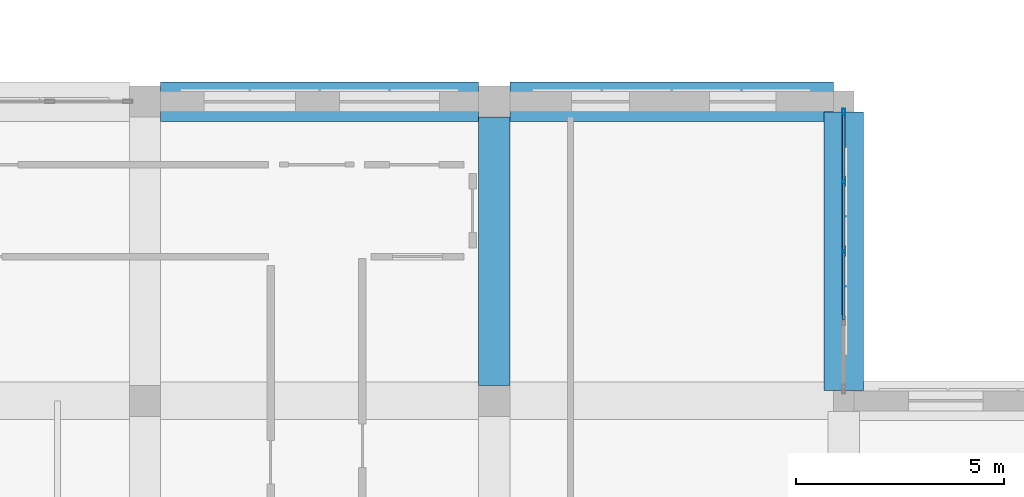
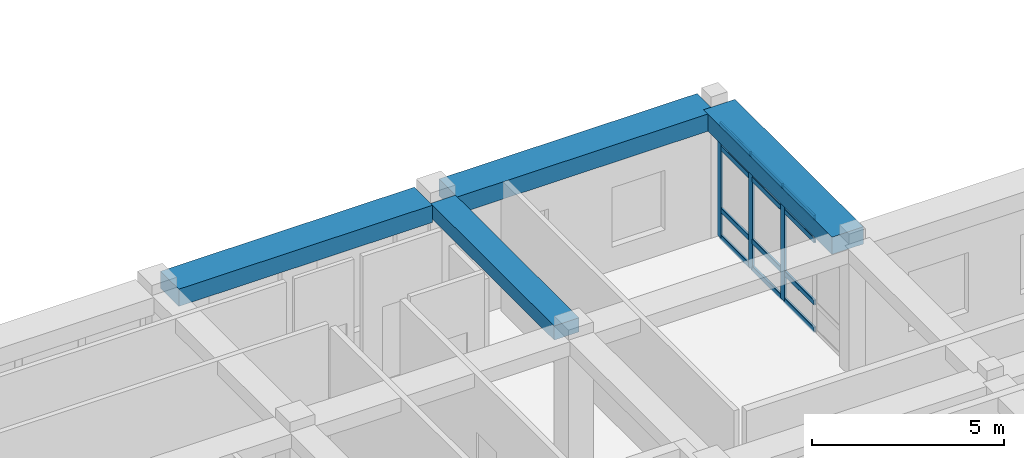
# One storey, part 47 of 111: 15 members, 4 beams, 1 element without a shape of its own.
"""IFC4 building model written with IfcOpenShell, lengths in metres."""

from ifc_helpers import new_model, si_unit, derived_unit, direction, frame, origin, origin_2d, place, context, subcontext, project, spatial, rectangle, hollow_rectangle, extrude, material, material_profile, profile_set, type_object, element, aggregate, save


model = new_model("IFC4")

# Units and contexts
model_context = context("Model", 3, precision=1e-05, world=origin(), true_north=direction((0.0, 1.0)))
body_context = subcontext(model_context, "Body", "Model", "MODEL_VIEW")
ifc_project = project(units=[si_unit("LENGTHUNIT", "METRE"), si_unit("AREAUNIT", "SQUARE_METRE"), si_unit("VOLUMEUNIT", "CUBIC_METRE"), si_unit("PLANEANGLEUNIT", "RADIAN"), si_unit("MASSUNIT", "GRAM", prefix="KILO"), derived_unit("THERMALTRANSMITTANCEUNIT", [(si_unit("POWERUNIT", "WATT"), 1), (si_unit("LENGTHUNIT", "METRE"), -2), (si_unit("THERMODYNAMICTEMPERATUREUNIT", "KELVIN"), -1)])], contexts=[model_context])

# Site, building, storey
site_placement = place(None, origin())
site = spatial("IfcSite", under=ifc_project, at=site_placement, CompositionType="ELEMENT")
building_placement = place(site_placement, origin())
building = spatial("IfcBuilding", under=site, at=building_placement, Name="Veybourne Emporium", CompositionType="ELEMENT")
storey_placement = place(building_placement, frame((0.0, 0.0, 9.89990234375)))
storey = spatial("IfcBuildingStorey", under=building, at=storey_placement, Name="L02", CompositionType="ELEMENT", Elevation=9.89990234375)

# Curtain wall, members
ifc_material_1 = material(Name="Patinated Architectural Bronze", Category="bronze")
curtain_wall_type = type_object("IfcCurtainWallType", Name="CWSystem_CWS-28", PredefinedType="NOTDEFINED", material=ifc_material_1)
curtain_wall_placement = place(storey_placement, origin())
curtain_wall = element("IfcCurtainWall", 1, at=curtain_wall_placement, inside=storey, type_object=curtain_wall_type, Name="L02 bronze glazed curtain wall CWS-28 (070)", PredefinedType="NOTDEFINED")
ifc_material_profile_1 = material_profile(ifc_material_1, hollow_rectangle(XDim=0.070068359375, YDim=0.219970703125, WallThickness=0.0048828125, InnerFilletRadius=0.007568359375, OuterFilletRadius=0.012451171875, at=origin_2d()), Name="CWM 70x220x5")
ifc_profile_set_1 = profile_set([ifc_material_profile_1], Name="Patinated Architectural Bronze")
member_type_1 = type_object("IfcMemberType", Name="CWMullion_CW-M4", PredefinedType="MULLION", material=ifc_profile_set_1)
member_1_placement = place(storey_placement, frame((142.800048828125, 28.514892578125, 0.0), z_axis=(0.0, 0.0, 1.0), x_axis=(1.0, 0.0, 0.0)))
member_1 = element("IfcMember", 2, at=member_1_placement, type_object=member_type_1, Name="CWS-28 mullion 1", PredefinedType="MULLION", context=body_context, shape_type="SweptSolid", body=[
    extrude(hollow_rectangle(XDim=0.070068359375, YDim=0.219970703125, WallThickness=0.0048828125, InnerFilletRadius=0.007568359375, OuterFilletRadius=0.012451171875, at=origin_2d()), origin(), (0.0, 0.0, 1.0), 3.630126953125),
])
member_2_placement = place(storey_placement, frame((142.800048828125, 26.875, 0.0), z_axis=(0.0, 0.0, 1.0), x_axis=(1.0, 0.0, 0.0)))
member_2 = element("IfcMember", 3, at=member_2_placement, type_object=member_type_1, Name="CWS-28 mullion 2", PredefinedType="MULLION", context=body_context, shape_type="SweptSolid", body=[
    extrude(hollow_rectangle(XDim=0.070068359375, YDim=0.219970703125, WallThickness=0.0048828125, InnerFilletRadius=0.007568359375, OuterFilletRadius=0.012451171875, at=origin_2d()), origin(), (0.0, 0.0, 1.0), 3.630126953125),
])
member_3_placement = place(storey_placement, frame((142.800048828125, 25.199951171875, 0.0), z_axis=(0.0, 0.0, 1.0), x_axis=(1.0, 0.0, 0.0)))
member_3 = element("IfcMember", 4, at=member_3_placement, type_object=member_type_1, Name="CWS-28 mullion 3", PredefinedType="MULLION", context=body_context, shape_type="SweptSolid", body=[
    extrude(hollow_rectangle(XDim=0.070068359375, YDim=0.219970703125, WallThickness=0.0048828125, InnerFilletRadius=0.007568359375, OuterFilletRadius=0.012451171875, at=origin_2d()), origin(), (0.0, 0.0, 1.0), 3.630126953125),
])
ifc_material_profile_2 = material_profile(ifc_material_1, hollow_rectangle(XDim=0.070068359375, YDim=0.169921875, WallThickness=0.0048828125, InnerFilletRadius=0.007568359375, OuterFilletRadius=0.012451171875, at=origin_2d()), Name="CWT 70x170x5")
ifc_profile_set_2 = profile_set([ifc_material_profile_2], Name="Patinated Architectural Bronze")
member_type_2 = type_object("IfcMemberType", Name="CWTransom_CW-T4", PredefinedType="NOTDEFINED", material=ifc_profile_set_2)
member_4_placement = place(storey_placement, frame((142.800048828125, 28.47998046875, 0.03515625), z_axis=(0.0, -1.0, 0.0), x_axis=(1.0, 0.0, 0.0)))
member_4 = element("IfcMember", 5, at=member_4_placement, type_object=member_type_2, Name="CWS-28 transom 1.1", ObjectType="TRANSOM", PredefinedType="USERDEFINED", context=body_context, shape_type="SweptSolid", body=[
    extrude(hollow_rectangle(XDim=0.070068359375, YDim=0.169921875, WallThickness=0.0048828125, InnerFilletRadius=0.007568359375, OuterFilletRadius=0.012451171875, at=origin_2d()), origin(), (0.0, 0.0, 1.0), 1.570068359375),
])
member_5_placement = place(storey_placement, frame((142.800048828125, 28.47998046875, 0.900146484375), z_axis=(0.0, -1.0, 0.0), x_axis=(1.0, 0.0, 0.0)))
member_5 = element("IfcMember", 6, at=member_5_placement, type_object=member_type_2, Name="CWS-28 transom 1.2", ObjectType="TRANSOM", PredefinedType="USERDEFINED", context=body_context, shape_type="SweptSolid", body=[
    extrude(hollow_rectangle(XDim=0.070068359375, YDim=0.169921875, WallThickness=0.0048828125, InnerFilletRadius=0.007568359375, OuterFilletRadius=0.012451171875, at=origin_2d()), origin(), (0.0, 0.0, 1.0), 1.570068359375),
])
member_6_placement = place(storey_placement, frame((142.800048828125, 28.47998046875, 2.880126953125), z_axis=(0.0, -1.0, 0.0), x_axis=(1.0, 0.0, 0.0)))
member_6 = element("IfcMember", 7, at=member_6_placement, type_object=member_type_2, Name="CWS-28 transom 1.3", ObjectType="TRANSOM", PredefinedType="USERDEFINED", context=body_context, shape_type="SweptSolid", body=[
    extrude(hollow_rectangle(XDim=0.070068359375, YDim=0.169921875, WallThickness=0.0048828125, InnerFilletRadius=0.007568359375, OuterFilletRadius=0.012451171875, at=origin_2d()), origin(), (0.0, 0.0, 1.0), 1.570068359375),
])
member_7_placement = place(storey_placement, frame((142.800048828125, 28.47998046875, 3.59521484375), z_axis=(0.0, -1.0, 0.0), x_axis=(1.0, 0.0, 0.0)))
member_7 = element("IfcMember", 8, at=member_7_placement, type_object=member_type_2, Name="CWS-28 transom 1.4", ObjectType="TRANSOM", PredefinedType="USERDEFINED", context=body_context, shape_type="SweptSolid", body=[
    extrude(hollow_rectangle(XDim=0.070068359375, YDim=0.169921875, WallThickness=0.0048828125, InnerFilletRadius=0.007568359375, OuterFilletRadius=0.012451171875, at=origin_2d()), origin(), (0.0, 0.0, 1.0), 1.570068359375),
])
member_8_placement = place(storey_placement, frame((142.800048828125, 26.840087890625, 0.03515625), z_axis=(0.0, -1.0, 0.0), x_axis=(1.0, 0.0, 0.0)))
member_8 = element("IfcMember", 9, at=member_8_placement, type_object=member_type_2, Name="CWS-28 transom 2.1", ObjectType="TRANSOM", PredefinedType="USERDEFINED", context=body_context, shape_type="SweptSolid", body=[
    extrude(hollow_rectangle(XDim=0.070068359375, YDim=0.169921875, WallThickness=0.0048828125, InnerFilletRadius=0.007568359375, OuterFilletRadius=0.012451171875, at=origin_2d()), origin(), (0.0, 0.0, 1.0), 1.60498046875),
])
member_9_placement = place(storey_placement, frame((142.800048828125, 26.840087890625, 0.900146484375), z_axis=(0.0, -1.0, 0.0), x_axis=(1.0, 0.0, 0.0)))
member_9 = element("IfcMember", 10, at=member_9_placement, type_object=member_type_2, Name="CWS-28 transom 2.2", ObjectType="TRANSOM", PredefinedType="USERDEFINED", context=body_context, shape_type="SweptSolid", body=[
    extrude(hollow_rectangle(XDim=0.070068359375, YDim=0.169921875, WallThickness=0.0048828125, InnerFilletRadius=0.007568359375, OuterFilletRadius=0.012451171875, at=origin_2d()), origin(), (0.0, 0.0, 1.0), 1.60498046875),
])
member_10_placement = place(storey_placement, frame((142.800048828125, 26.840087890625, 2.880126953125), z_axis=(0.0, -1.0, 0.0), x_axis=(1.0, 0.0, 0.0)))
member_10 = element("IfcMember", 11, at=member_10_placement, type_object=member_type_2, Name="CWS-28 transom 2.3", ObjectType="TRANSOM", PredefinedType="USERDEFINED", context=body_context, shape_type="SweptSolid", body=[
    extrude(hollow_rectangle(XDim=0.070068359375, YDim=0.169921875, WallThickness=0.0048828125, InnerFilletRadius=0.007568359375, OuterFilletRadius=0.012451171875, at=origin_2d()), origin(), (0.0, 0.0, 1.0), 1.60498046875),
])
member_11_placement = place(storey_placement, frame((142.800048828125, 26.840087890625, 3.59521484375), z_axis=(0.0, -1.0, 0.0), x_axis=(1.0, 0.0, 0.0)))
member_11 = element("IfcMember", 12, at=member_11_placement, type_object=member_type_2, Name="CWS-28 transom 2.4", ObjectType="TRANSOM", PredefinedType="USERDEFINED", context=body_context, shape_type="SweptSolid", body=[
    extrude(hollow_rectangle(XDim=0.070068359375, YDim=0.169921875, WallThickness=0.0048828125, InnerFilletRadius=0.007568359375, OuterFilletRadius=0.012451171875, at=origin_2d()), origin(), (0.0, 0.0, 1.0), 1.60498046875),
])
member_12_placement = place(storey_placement, frame((142.800048828125, 25.1650390625, 0.03515625), z_axis=(0.0, -1.0, 0.0), x_axis=(1.0, 0.0, 0.0)))
member_12 = element("IfcMember", 13, at=member_12_placement, type_object=member_type_2, Name="CWS-28 transom 3.1", ObjectType="TRANSOM", PredefinedType="USERDEFINED", context=body_context, shape_type="SweptSolid", body=[
    extrude(hollow_rectangle(XDim=0.070068359375, YDim=0.169921875, WallThickness=0.0048828125, InnerFilletRadius=0.007568359375, OuterFilletRadius=0.012451171875, at=origin_2d()), origin(), (0.0, 0.0, 1.0), 1.60498046875),
])
member_13_placement = place(storey_placement, frame((142.800048828125, 25.1650390625, 0.900146484375), z_axis=(0.0, -1.0, 0.0), x_axis=(1.0, 0.0, 0.0)))
member_13 = element("IfcMember", 14, at=member_13_placement, type_object=member_type_2, Name="CWS-28 transom 3.2", ObjectType="TRANSOM", PredefinedType="USERDEFINED", context=body_context, shape_type="SweptSolid", body=[
    extrude(hollow_rectangle(XDim=0.070068359375, YDim=0.169921875, WallThickness=0.0048828125, InnerFilletRadius=0.007568359375, OuterFilletRadius=0.012451171875, at=origin_2d()), origin(), (0.0, 0.0, 1.0), 1.60498046875),
])
member_14_placement = place(storey_placement, frame((142.800048828125, 25.1650390625, 2.880126953125), z_axis=(0.0, -1.0, 0.0), x_axis=(1.0, 0.0, 0.0)))
member_14 = element("IfcMember", 15, at=member_14_placement, type_object=member_type_2, Name="CWS-28 transom 3.3", ObjectType="TRANSOM", PredefinedType="USERDEFINED", context=body_context, shape_type="SweptSolid", body=[
    extrude(hollow_rectangle(XDim=0.070068359375, YDim=0.169921875, WallThickness=0.0048828125, InnerFilletRadius=0.007568359375, OuterFilletRadius=0.012451171875, at=origin_2d()), origin(), (0.0, 0.0, 1.0), 1.60498046875),
])
member_15_placement = place(storey_placement, frame((142.800048828125, 25.1650390625, 3.59521484375), z_axis=(0.0, -1.0, 0.0), x_axis=(1.0, 0.0, 0.0)))
member_15 = element("IfcMember", 16, at=member_15_placement, type_object=member_type_2, Name="CWS-28 transom 3.4", ObjectType="TRANSOM", PredefinedType="USERDEFINED", context=body_context, shape_type="SweptSolid", body=[
    extrude(hollow_rectangle(XDim=0.070068359375, YDim=0.169921875, WallThickness=0.0048828125, InnerFilletRadius=0.007568359375, OuterFilletRadius=0.012451171875, at=origin_2d()), origin(), (0.0, 0.0, 1.0), 1.60498046875),
])
aggregate(curtain_wall, [member_1, member_2, member_3, member_4, member_5, member_6, member_7, member_8, member_9, member_10, member_11, member_12, member_13, member_14, member_15])

# Beams
ifc_material_2 = material(Name="Concrete C32/40", Category="concrete")
ifc_material_profile_3 = material_profile(ifc_material_2, rectangle(XDim=0.75, YDim=0.449951171875, at=origin_2d()), Name="RC 750x450")
ifc_profile_set_3 = profile_set([ifc_material_profile_3], Name="Concrete C32/40")
beam_type_1 = type_object("IfcBeamType", Name="RCBeam_BB-04", PredefinedType="BEAM", material=ifc_profile_set_3)
beam_1_placement = place(storey_placement, frame((134.39990234375, 21.97509765625, 3.955078125), z_axis=(0.0, 1.0, 0.0), x_axis=(-1.0, 0.0, 0.0)))
element("IfcBeam", 17, at=beam_1_placement, inside=storey, type_object=beam_type_1, Name="L02 Y-grid beam BB-04 (16,3)", PredefinedType="BEAM", context=body_context, shape_type="SweptSolid", body=[
    extrude(rectangle(XDim=0.75, YDim=0.449951171875, at=origin_2d()), origin(), (0.0, 0.0, 1.0), 6.449951171875),
])
ifc_material_profile_4 = material_profile(ifc_material_2, rectangle(XDim=0.949951171875, YDim=0.550048828125, at=origin_2d()), Name="RC 950x550")
ifc_profile_set_4 = profile_set([ifc_material_profile_4], Name="Concrete C32/40")
beam_type_2 = type_object("IfcBeamType", Name="RCBeam_EB-01", PredefinedType="SPANDREL", material=ifc_profile_set_4)
beam_2_placement = place(storey_placement, frame((126.375, 28.800048828125, 3.905029296875), z_axis=(1.0, 0.0, 0.0), x_axis=(0.0, 1.0, 0.0)))
element("IfcBeam", 18, at=beam_2_placement, inside=storey, type_object=beam_type_2, Name="L02 X-grid beam EB-01 (15,4)", PredefinedType="SPANDREL", context=body_context, shape_type="SweptSolid", body=[
    extrude(rectangle(XDim=0.949951171875, YDim=0.550048828125, at=origin_2d()), origin(), (0.0, 0.0, 1.0), 7.64990234375),
])
beam_3_placement = place(storey_placement, frame((134.77490234375, 28.800048828125, 3.905029296875), z_axis=(1.0, 0.0, 0.0), x_axis=(0.0, 1.0, 0.0)))
element("IfcBeam", 19, at=beam_3_placement, inside=storey, type_object=beam_type_2, Name="L02 X-grid beam EB-01 (16,4)", PredefinedType="SPANDREL", context=body_context, shape_type="SweptSolid", body=[
    extrude(rectangle(XDim=0.949951171875, YDim=0.550048828125, at=origin_2d()), origin(), (0.0, 0.0, 1.0), 7.775146484375),
])
beam_4_placement = place(storey_placement, frame((142.800048828125, 21.85009765625, 3.905029296875), z_axis=(0.0, 1.0, 0.0), x_axis=(-1.0, 0.0, 0.0)))
element("IfcBeam", 20, at=beam_4_placement, inside=storey, type_object=beam_type_2, Name="L02 Y-grid beam EB-01 (17,3)", PredefinedType="SPANDREL", context=body_context, shape_type="SweptSolid", body=[
    extrude(rectangle(XDim=0.949951171875, YDim=0.550048828125, at=origin_2d()), origin(), (0.0, 0.0, 1.0), 6.699951171875),
])

save(model, "model.ifc")
